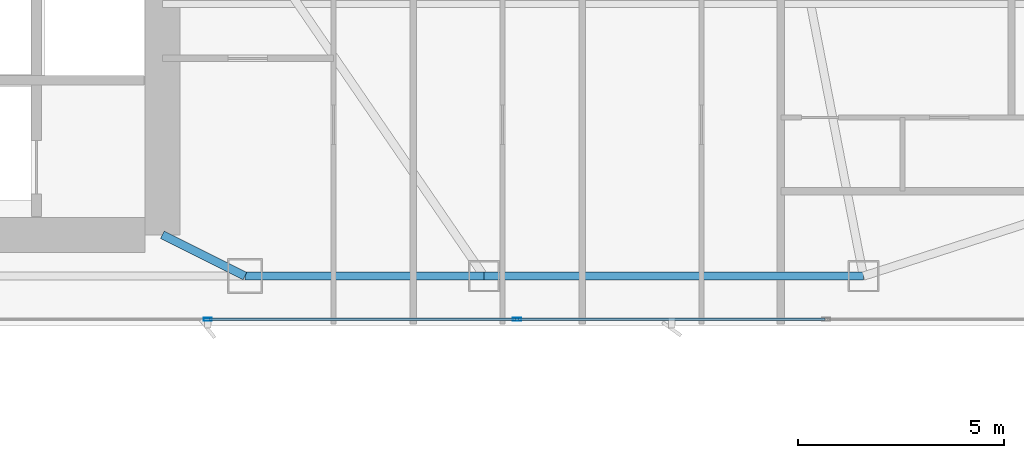
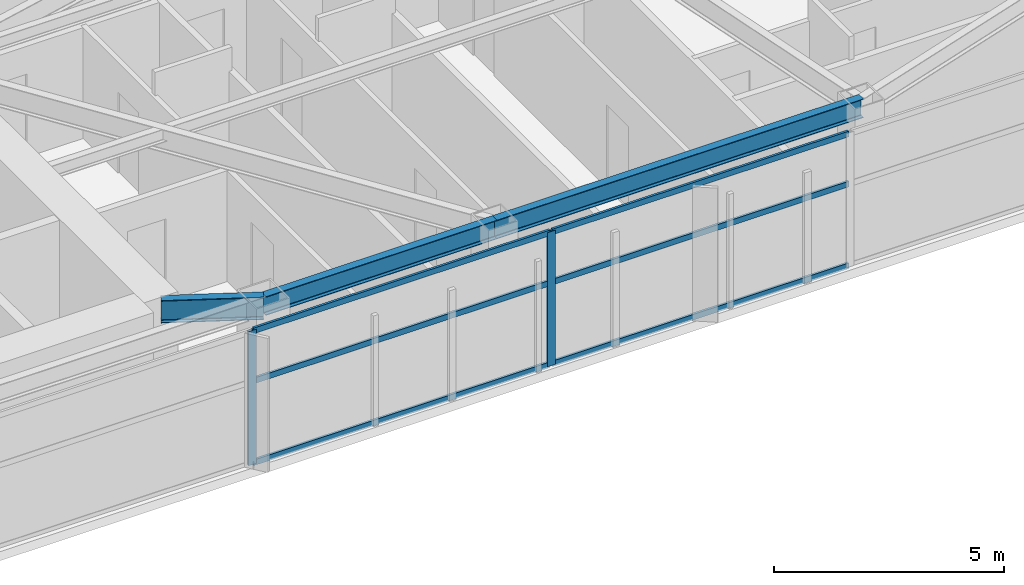
# One storey, part 12 of 28: 8 members, 3 beams, 1 element without a shape of its own.
"""IFC4 building model written with IfcOpenShell, lengths in metres."""

import ifcopenshell
import ifcopenshell.guid

model = None  # the IFC model being written
_history = None  # IfcOwnerHistory: only IFC2X3 demands one
_inside = {}  # id of a spatial element -> (the spatial element, [elements in it])
_under = {}  # id of a project, library or spatial element -> (it, [spatial elements below it])
_declared = {}  # id of a project -> (the project, [libraries it declares])
_typed = {}  # id of a type object -> (the type object, [elements of that type])
_made_of = {}  # id of a material, layer set ... -> (it, [elements and type objects made of it])


def new_model(schema):
    """Start an empty IFC model of exactly this schema.

    Asked for "IFC4X3", IfcOpenShell would pick the latest addendum, in which some entities
    have other attributes; the version numbers below select the first issue.
    IFC2X3 requires an IfcOwnerHistory on every rooted entity: one is made here for all.
    """
    global model, _history
    if schema == "IFC4X3":
        model = ifcopenshell.file(schema_version=(4, 3, 0, 0))
    else:
        model = ifcopenshell.file(schema=schema)
    _inside.clear()
    _under.clear()
    _declared.clear()
    _typed.clear()
    _made_of.clear()
    _history = None
    if model.schema == "IFC2X3":
        org = make("IfcOrganization", Name="unknown")
        user = make(
            "IfcPersonAndOrganization",
            ThePerson=make("IfcPerson", FamilyName="unknown"),
            TheOrganization=org,
        )
        app = make(
            "IfcApplication",
            ApplicationDeveloper=org,
            Version="unknown",
            ApplicationFullName="unknown",
            ApplicationIdentifier="unknown",
        )
        _history = make(
            "IfcOwnerHistory",
            OwningUser=user,
            OwningApplication=app,
            ChangeAction="ADDED",
            CreationDate=0,
        )
    return model


def make(cls, **values):
    """One entity of the class cls with the attributes given. An attribute that is None is left unset."""
    return model.create_entity(
        cls, **{name: value for name, value in values.items() if value is not None}
    )


def rooted(cls, **values):
    """An entity with a GlobalId (a new one), such as an element, a storey or a relation."""
    return make(cls, GlobalId=ifcopenshell.guid.new(), OwnerHistory=_history, **values)


def si_unit(unit_type, name, prefix=None):
    """IfcSIUnit, for example si_unit("LENGTHUNIT", "METRE", prefix="MILLI")."""
    return make("IfcSIUnit", UnitType=unit_type, Prefix=prefix, Name=name)


def assignment(units):
    """IfcUnitAssignment: the units of a project."""
    return None if units is None else make("IfcUnitAssignment", Units=units)


def point(xyz):
    """IfcCartesianPoint."""
    return None if xyz is None else make("IfcCartesianPoint", Coordinates=xyz)


def direction(xyz):
    """IfcDirection."""
    return None if xyz is None else make("IfcDirection", DirectionRatios=xyz)


def frame(location, z_axis=None, x_axis=None):
    """IfcAxis2Placement3D, a coordinate frame: its origin and axes. An axis left out is left unset."""
    return make(
        "IfcAxis2Placement3D",
        Location=point(location),
        Axis=direction(z_axis),
        RefDirection=direction(x_axis),
    )


def frame_2d(location, x_axis=None):
    """IfcAxis2Placement2D, a coordinate frame in the plane: its origin and x axis."""
    return make(
        "IfcAxis2Placement2D", Location=point(location), RefDirection=direction(x_axis)
    )


def origin():
    """The frame at (0, 0, 0) with its axes left unset."""
    return frame((0.0, 0.0, 0.0))


def origin_2d():
    """The frame at (0, 0) in the plane with its x axis left unset."""
    return frame_2d((0.0, 0.0))


def place(relative_to, where):
    """IfcLocalPlacement: puts the frame where relative to a parent placement (None: the world)."""
    return make(
        "IfcLocalPlacement", PlacementRelTo=relative_to, RelativePlacement=where
    )


def context(
    kind, dimensions, precision=None, world=None, true_north=None, identifier=None
):
    """IfcGeometricRepresentationContext, for example the 3D "Model" context."""
    return make(
        "IfcGeometricRepresentationContext",
        ContextIdentifier=identifier,
        ContextType=kind,
        CoordinateSpaceDimension=dimensions,
        Precision=precision,
        WorldCoordinateSystem=world,
        TrueNorth=true_north,
    )


def subcontext(parent, identifier, kind, view, scale=None):
    """IfcGeometricRepresentationSubContext, for example "Body" below "Model"."""
    return make(
        "IfcGeometricRepresentationSubContext",
        ContextIdentifier=identifier,
        ContextType=kind,
        ParentContext=parent,
        TargetScale=scale,
        TargetView=view,
    )


def project(units=None, contexts=None):
    """IfcProject with its units and contexts."""
    return rooted(
        "IfcProject",
        Name="project",
        RepresentationContexts=contexts,
        UnitsInContext=assignment(units),
    )


def spatial(cls, under=None, at=None, **own):
    """A site, building, storey or space (cls), placed at a placement, below another one or the project."""
    s = rooted(cls, ObjectPlacement=at, **own)
    if under is not None:
        _under.setdefault(under.id(), (under, []))[1].append(s)
    return s


def profile(cls, at=None, kind="AREA", **sizes):
    """A parametric profile (cls). Its sizes go by their IFC names, for example OverallWidth=200.0."""
    return make(cls, ProfileType=kind, Position=at, **sizes)


def hollow_rectangle(**sizes):
    """IfcRectangleHollowProfileDef."""
    return profile("IfcRectangleHollowProfileDef", **sizes)


def i_section(**sizes):
    """IfcIShapeProfileDef."""
    return profile("IfcIShapeProfileDef", **sizes)


def extrude(swept, where, along, depth):
    """IfcExtrudedAreaSolid: the profile swept, set in the frame where, extruded along a direction by depth."""
    return make(
        "IfcExtrudedAreaSolid",
        SweptArea=swept,
        Position=where,
        ExtrudedDirection=direction(along),
        Depth=depth,
    )


def shape(context_of_items, identifier, shape_type, items):
    """IfcShapeRepresentation: the items that make up one representation, for example the "Body"."""
    return make(
        "IfcShapeRepresentation",
        ContextOfItems=context_of_items,
        RepresentationIdentifier=identifier,
        RepresentationType=shape_type,
        Items=items,
    )


def material(Name=None, Category=None):
    """IfcMaterial."""
    return make("IfcMaterial", Name=Name, Category=Category)


def layer(
    of_material, thickness, ventilated=None, Name=None, Category=None, Priority=None
):
    """IfcMaterialLayer: one layer of a wall or slab, of a material (None: an air gap)."""
    return make(
        "IfcMaterialLayer",
        Material=of_material,
        LayerThickness=thickness,
        IsVentilated=ventilated,
        Name=Name,
        Category=Category,
        Priority=Priority,
    )


def layer_set(layers, Name=None):
    """IfcMaterialLayerSet."""
    return make("IfcMaterialLayerSet", MaterialLayers=layers, LayerSetName=Name)


def material_profile(
    of_material, cross_section, Name=None, Category=None, Priority=None
):
    """IfcMaterialProfile: a cross section and its material."""
    return make(
        "IfcMaterialProfile",
        Name=Name,
        Material=of_material,
        Profile=cross_section,
        Priority=Priority,
        Category=Category,
    )


def profile_set(profiles, Name=None, composite=None):
    """IfcMaterialProfileSet."""
    return make(
        "IfcMaterialProfileSet",
        Name=Name,
        MaterialProfiles=profiles,
        CompositeProfile=composite,
    )


def made_of(thing, what):
    """Note that an element or type object is made of a material, layer set ...; save() writes the relation."""
    if what is not None:
        _made_of.setdefault(what.id(), (what, []))[1].append(thing)
    return thing


def type_object(cls, material=None, **own):
    """A type object (cls), such as IfcWallType, which elements share."""
    return made_of(rooted(cls, **own), material)


def element(
    cls,
    number,
    at=None,
    inside=None,
    cuts=None,
    type_object=None,
    material=None,
    context=None,
    identifier="Body",
    shape_type=None,
    held_by="IfcProductDefinitionShape",
    body=None,
    shapes=None,
    **own,
):
    """One element of the class cls, such as IfcWall. Its Tag is "e" and its number.

    at: its placement. inside: the storey or other place that contains it. cuts: it is an
    opening in that element (IfcRelVoidsElement). A single representation is given by context,
    identifier, shape_type and body (its items); several are given by shapes. held_by: the class
    of the entity that holds the representations. save() writes the other relations.
    """
    e = rooted(cls, Tag="e%d" % number, ObjectPlacement=at, **own)
    if body is not None:
        shapes = [shape(context, identifier, shape_type, body)]
    if shapes is not None:
        e.Representation = make(held_by, Representations=shapes)
    if inside is not None:
        _inside.setdefault(inside.id(), (inside, []))[1].append(e)
    if cuts is not None:
        rooted(
            "IfcRelVoidsElement", RelatingBuildingElement=cuts, RelatedOpeningElement=e
        )
    if type_object is not None:
        _typed.setdefault(type_object.id(), (type_object, []))[1].append(e)
    return made_of(e, material)


def aggregate(whole, parts):
    """IfcRelAggregates: a whole, such as a stair, and the parts it consists of."""
    return rooted("IfcRelAggregates", RelatingObject=whole, RelatedObjects=parts)


def save(model, path):
    """Write the relations noted so far, then the file.

    IfcRelAggregates (storeys below a building ...), IfcRelContainedInSpatialStructure (elements
    in a storey), IfcRelDefinesByType, IfcRelAssociatesMaterial and IfcRelDeclares: one each for
    every whole, place, type object, material and project.
    """
    for whole, parts in _under.values():
        aggregate(whole, parts)
    for where, things in _inside.values():
        rooted(
            "IfcRelContainedInSpatialStructure",
            RelatedElements=things,
            RelatingStructure=where,
        )
    for kind, things in _typed.values():
        rooted("IfcRelDefinesByType", RelatedObjects=things, RelatingType=kind)
    for what, things in _made_of.values():
        rooted("IfcRelAssociatesMaterial", RelatedObjects=things, RelatingMaterial=what)
    for by, libraries in _declared.values():
        rooted("IfcRelDeclares", RelatingContext=by, RelatedDefinitions=libraries)
    model.write(path)


model = new_model("IFC4")

# Units and contexts
model_context = context("Model", 3, precision=1e-05, world=origin(), true_north=direction((0.0, 1.0)))
body_context = subcontext(model_context, "Body", "Model", "MODEL_VIEW")
ifc_project = project(units=[si_unit("LENGTHUNIT", "METRE"), si_unit("AREAUNIT", "SQUARE_METRE"), si_unit("VOLUMEUNIT", "CUBIC_METRE"), si_unit("PLANEANGLEUNIT", "RADIAN"), si_unit("MASSUNIT", "GRAM", prefix="KILO")], contexts=[model_context])

# Site, building, storey
site_placement = place(None, origin())
site = spatial("IfcSite", under=ifc_project, at=site_placement, CompositionType="ELEMENT")
building_placement = place(site_placement, origin())
building = spatial("IfcBuilding", under=site, at=building_placement, Name="Calvorn Quay Hotel", CompositionType="ELEMENT")
storey_placement = place(building_placement, frame((0.0, 0.0, 178.89990234375)))
storey = spatial("IfcBuildingStorey", under=building, at=storey_placement, Name="L44", CompositionType="ELEMENT", Elevation=178.89990234375)

# Beams
ifc_material_1 = material(Name="Steel Q355B", Category="steel")
ifc_material_profile_1 = material_profile(ifc_material_1, i_section(OverallWidth=0.199951171875, OverallDepth=0.60009765625, WebThickness=0.010986328125, FlangeThickness=0.01708984375, FilletRadius=0.01806640625, at=origin_2d()), Name="HN600x200x11x17")
ifc_profile_set_1 = profile_set([ifc_material_profile_1], Name="Steel Q355B")
beam_type_1 = type_object("IfcBeamType", Name="BM-GIRD-TYP", PredefinedType="BEAM", material=ifc_profile_set_1)
beam_1_placement = place(storey_placement, frame((34.39990234375, 3.60009765625, 3.239990234375), z_axis=(-0.894427191, 0.4472135955, 0.0), x_axis=(-0.4472135955, -0.894427191, 0.0)))
element("IfcBeam", 1, at=beam_1_placement, inside=storey, type_object=beam_type_1, Name="Beam BG-L44-S3", PredefinedType="BEAM", context=body_context, shape_type="SweptSolid", body=[
    extrude(i_section(OverallWidth=0.199951171875, OverallDepth=0.60009765625, WebThickness=0.010986328125, FlangeThickness=0.01708984375, FilletRadius=0.01806640625, at=origin_2d()), origin(), (0.0, 0.0, 1.0), 2.236083984375),
])
ifc_material_2 = material(Name="Steel Q355B", Category="steel")
ifc_material_profile_2 = material_profile(ifc_material_2, i_section(OverallWidth=0.199951171875, OverallDepth=0.5, WebThickness=0.010009765625, FlangeThickness=0.01611328125, FilletRadius=0.01611328125, at=origin_2d()), Name="HN500x200x10x16")
ifc_profile_set_2 = profile_set([ifc_material_profile_2], Name="Steel Q355B")
beam_type_2 = type_object("IfcBeamType", Name="BM-SPANDREL-Z1", PredefinedType="SPANDREL", material=ifc_profile_set_2)
beam_2_placement = place(storey_placement, frame((34.39990234375, 3.60009765625, 3.2900390625), z_axis=(1.0, 0.0, 0.0), x_axis=(0.0, 1.0, 0.0)))
element("IfcBeam", 2, at=beam_2_placement, inside=storey, type_object=beam_type_2, Name="Beam BSP-L44-S4", PredefinedType="SPANDREL", context=body_context, shape_type="SweptSolid", body=[
    extrude(i_section(OverallWidth=0.199951171875, OverallDepth=0.5, WebThickness=0.010009765625, FlangeThickness=0.01611328125, FilletRadius=0.01611328125, at=origin_2d()), origin(), (0.0, 0.0, 1.0), 5.800048828125),
])
beam_3_placement = place(storey_placement, frame((40.199951171875, 3.60009765625, 3.2900390625), z_axis=(1.0, 0.0, 0.0), x_axis=(0.0, 1.0, 0.0)))
element("IfcBeam", 3, at=beam_3_placement, inside=storey, type_object=beam_type_2, Name="Beam BSP-L44-S5", PredefinedType="SPANDREL", context=body_context, shape_type="SweptSolid", body=[
    extrude(i_section(OverallWidth=0.199951171875, OverallDepth=0.5, WebThickness=0.010009765625, FlangeThickness=0.01611328125, FilletRadius=0.01611328125, at=origin_2d()), origin(), (0.0, 0.0, 1.0), 9.199951171875),
])

# Curtain wall, members
ifc_material_3 = material(Name="Pale Anodised Aluminium and Low-E Glass", Category="aluminium")
ifc_layer = layer(ifc_material_3, 0.219970703125)
ifc_layer_set = layer_set([ifc_layer], Name="CW-SYS-Z2")
curtain_wall_type = type_object("IfcCurtainWallType", Name="CW-SYS-Z2", PredefinedType="NOTDEFINED", material=ifc_layer_set)
curtain_wall_placement = place(storey_placement, origin())
curtain_wall = element("IfcCurtainWall", 4, at=curtain_wall_placement, inside=storey, type_object=curtain_wall_type, Name="Tower South Waterfront Curtain Wall (L44)", PredefinedType="NOTDEFINED")
ifc_material_4 = material(Name="Pale Anodised Aluminium 6063-T6", Category="aluminium")
ifc_material_profile_3 = material_profile(ifc_material_4, hollow_rectangle(XDim=0.070068359375, YDim=0.199951171875, WallThickness=0.00390625, at=origin_2d()), Name="ALU-M200x70x4")
ifc_profile_set_3 = profile_set([ifc_material_profile_3], Name="Pale Anodised Aluminium 6063-T6")
member_type_1 = type_object("IfcMemberType", Name="CW-SYS-Z2-MUL", PredefinedType="MULLION", material=ifc_profile_set_3)
member_1_placement = place(storey_placement, frame((33.5, 2.550048828125, 0.0), z_axis=(0.0, 0.0, 1.0), x_axis=(0.0, 1.0, 0.0)))
member_1 = element("IfcMember", 5, at=member_1_placement, type_object=member_type_1, Name="CW-L44-S mullion 4", PredefinedType="MULLION", context=body_context, shape_type="SweptSolid", body=[
    extrude(hollow_rectangle(XDim=0.070068359375, YDim=0.199951171875, WallThickness=0.00390625, at=origin_2d()), origin(), (0.0, 0.0, 1.0), 3.56005859375),
])
member_2_placement = place(storey_placement, frame((41.0, 2.550048828125, 0.0), z_axis=(0.0, 0.0, 1.0), x_axis=(0.0, 1.0, 0.0)))
member_2 = element("IfcMember", 6, at=member_2_placement, type_object=member_type_1, Name="CW-L44-S mullion 5", PredefinedType="MULLION", context=body_context, shape_type="SweptSolid", body=[
    extrude(hollow_rectangle(XDim=0.070068359375, YDim=0.199951171875, WallThickness=0.00390625, at=origin_2d()), origin(), (0.0, 0.0, 1.0), 3.56005859375),
])
ifc_material_5 = material(Name="Pale Anodised Aluminium 6063-T6", Category="aluminium")
ifc_material_profile_4 = material_profile(ifc_material_5, hollow_rectangle(XDim=0.06005859375, YDim=0.14990234375, WallThickness=0.00341796875, at=origin_2d()), Name="ALU-T150x60x3.5")
ifc_profile_set_4 = profile_set([ifc_material_profile_4], Name="Pale Anodised Aluminium 6063-T6")
member_type_2 = type_object("IfcMemberType", Name="CW-SYS-Z2-TRN", PredefinedType="USERDEFINED", material=ifc_profile_set_4)
member_3_placement = place(storey_placement, frame((33.530029296875, 2.550048828125, 0.030029296875), z_axis=(1.0, 0.0, 0.0), x_axis=(0.0, 1.0, 0.0)))
member_3 = element("IfcMember", 7, at=member_3_placement, type_object=member_type_2, Name="CW-L44-S transom 4.1", ObjectType="TRANSOM", PredefinedType="USERDEFINED", context=body_context, shape_type="SweptSolid", body=[
    extrude(hollow_rectangle(XDim=0.06005859375, YDim=0.14990234375, WallThickness=0.00341796875, at=origin_2d()), origin(), (0.0, 0.0, 1.0), 7.43994140625),
])
member_4_placement = place(storey_placement, frame((33.530029296875, 2.550048828125, 2.2001953125), z_axis=(1.0, 0.0, 0.0), x_axis=(0.0, 1.0, 0.0)))
member_4 = element("IfcMember", 8, at=member_4_placement, type_object=member_type_2, Name="CW-L44-S transom 4.2", ObjectType="TRANSOM", PredefinedType="USERDEFINED", context=body_context, shape_type="SweptSolid", body=[
    extrude(hollow_rectangle(XDim=0.06005859375, YDim=0.14990234375, WallThickness=0.00341796875, at=origin_2d()), origin(), (0.0, 0.0, 1.0), 7.43994140625),
])
member_5_placement = place(storey_placement, frame((33.530029296875, 2.550048828125, 3.530029296875), z_axis=(1.0, 0.0, 0.0), x_axis=(0.0, 1.0, 0.0)))
member_5 = element("IfcMember", 9, at=member_5_placement, type_object=member_type_2, Name="CW-L44-S transom 4.3", ObjectType="TRANSOM", PredefinedType="USERDEFINED", context=body_context, shape_type="SweptSolid", body=[
    extrude(hollow_rectangle(XDim=0.06005859375, YDim=0.14990234375, WallThickness=0.00341796875, at=origin_2d()), origin(), (0.0, 0.0, 1.0), 7.43994140625),
])
member_6_placement = place(storey_placement, frame((41.030029296875, 2.550048828125, 0.030029296875), z_axis=(1.0, 0.0, 0.0), x_axis=(0.0, 1.0, 0.0)))
member_6 = element("IfcMember", 10, at=member_6_placement, type_object=member_type_2, Name="CW-L44-S transom 5.1", ObjectType="TRANSOM", PredefinedType="USERDEFINED", context=body_context, shape_type="SweptSolid", body=[
    extrude(hollow_rectangle(XDim=0.06005859375, YDim=0.14990234375, WallThickness=0.00341796875, at=origin_2d()), origin(), (0.0, 0.0, 1.0), 7.43994140625),
])
member_7_placement = place(storey_placement, frame((41.030029296875, 2.550048828125, 2.2001953125), z_axis=(1.0, 0.0, 0.0), x_axis=(0.0, 1.0, 0.0)))
member_7 = element("IfcMember", 11, at=member_7_placement, type_object=member_type_2, Name="CW-L44-S transom 5.2", ObjectType="TRANSOM", PredefinedType="USERDEFINED", context=body_context, shape_type="SweptSolid", body=[
    extrude(hollow_rectangle(XDim=0.06005859375, YDim=0.14990234375, WallThickness=0.00341796875, at=origin_2d()), origin(), (0.0, 0.0, 1.0), 7.43994140625),
])
member_8_placement = place(storey_placement, frame((41.030029296875, 2.550048828125, 3.530029296875), z_axis=(1.0, 0.0, 0.0), x_axis=(0.0, 1.0, 0.0)))
member_8 = element("IfcMember", 12, at=member_8_placement, type_object=member_type_2, Name="CW-L44-S transom 5.3", ObjectType="TRANSOM", PredefinedType="USERDEFINED", context=body_context, shape_type="SweptSolid", body=[
    extrude(hollow_rectangle(XDim=0.06005859375, YDim=0.14990234375, WallThickness=0.00341796875, at=origin_2d()), origin(), (0.0, 0.0, 1.0), 7.43994140625),
])
aggregate(curtain_wall, [member_1, member_2, member_3, member_4, member_5, member_6, member_7, member_8])

save(model, "model.ifc")
